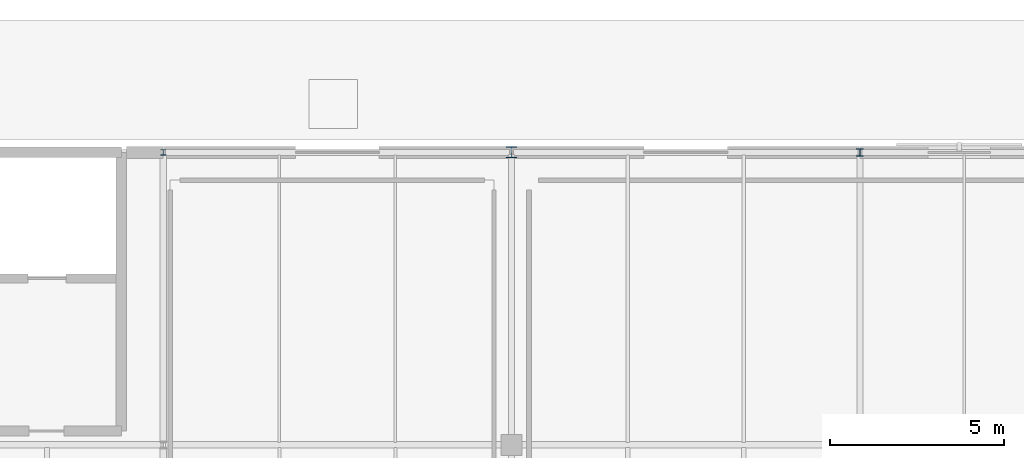
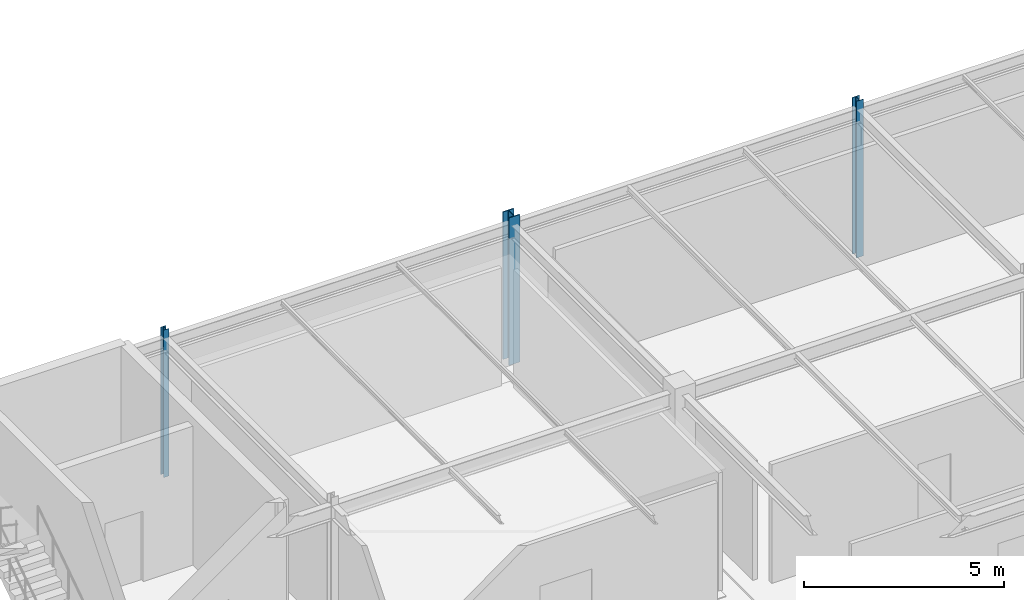
# One storey, part 45 of 119: 3 columns.
"""IFC4 building model written with IfcOpenShell, lengths in metres."""

from ifc_helpers import new_model, si_unit, derived_unit, direction, frame, origin, origin_2d_with_axis, place, context, subcontext, project, spatial, i_section, extrude, material, material_profile, profile_set, type_object, element, save


model = new_model("IFC4")

# Units and contexts
model_context = context("Model", 3, precision=1e-05, world=origin(), true_north=direction((0.0, 1.0)))
body_context = subcontext(model_context, "Body", "Model", "MODEL_VIEW")
ifc_project = project(units=[si_unit("LENGTHUNIT", "METRE"), si_unit("AREAUNIT", "SQUARE_METRE"), si_unit("VOLUMEUNIT", "CUBIC_METRE"), si_unit("PLANEANGLEUNIT", "RADIAN"), si_unit("MASSUNIT", "GRAM", prefix="KILO"), derived_unit("THERMALTRANSMITTANCEUNIT", [(si_unit("POWERUNIT", "WATT"), 1), (si_unit("LENGTHUNIT", "METRE"), -2), (si_unit("THERMODYNAMICTEMPERATUREUNIT", "KELVIN"), -1)])], contexts=[model_context])

# Site, building, storey
site_placement = place(None, origin())
site = spatial("IfcSite", under=ifc_project, at=site_placement, CompositionType="ELEMENT")
building_placement = place(site_placement, origin())
building = spatial("IfcBuilding", under=site, at=building_placement, Name="Cinnabar Yard Market Hall", CompositionType="ELEMENT")
storey_placement = place(building_placement, origin())
storey = spatial("IfcBuildingStorey", under=building, at=storey_placement, Name="L00", CompositionType="ELEMENT", Elevation=0.0)

# Columns
ifc_material_1 = material(Name="Steel Grade 350 (350 MPa)", Category="steel")
ifc_material_profile_1 = material_profile(ifc_material_1, i_section(OverallWidth=0.311279296875, OverallDepth=0.3271484375, WebThickness=0.015625, FlangeThickness=0.02490234375, FilletRadius=0.0166015625, at=origin_2d_with_axis()), Name="310UC158")
ifc_profile_set_1 = profile_set([ifc_material_profile_1], Name="Steel Grade 350 (350 MPa)")
column_type_1 = type_object("IfcColumnType", Name="COL-C06E", PredefinedType="COLUMN", material=ifc_profile_set_1)
column_1_placement = place(storey_placement, frame((146.0, 138.0, 0.0), z_axis=(0.0, 0.0, 1.0), x_axis=(1.0, 0.0, 0.0)))
element("IfcColumn", 1, at=column_1_placement, inside=storey, type_object=column_type_1, Name="Wing Column V3-09-05 L00", PredefinedType="COLUMN", context=body_context, shape_type="SweptSolid", body=[
    extrude(i_section(OverallWidth=0.311279296875, OverallDepth=0.3271484375, WebThickness=0.015625, FlangeThickness=0.02490234375, FilletRadius=0.0166015625, at=origin_2d_with_axis()), origin(), (0.0, 0.0, 1.0), 4.5),
])
ifc_material_2 = material(Name="Steel Grade 300 (300 MPa)", Category="steel")
ifc_material_profile_2 = material_profile(ifc_material_2, i_section(OverallWidth=0.205078125, OverallDepth=0.209716796875, WebThickness=0.00927734375, FlangeThickness=0.01416015625, FilletRadius=0.011474609375, at=origin_2d_with_axis()), Name="200UC59.5")
ifc_profile_set_2 = profile_set([ifc_material_profile_2], Name="Steel Grade 300 (300 MPa)")
column_type_2 = type_object("IfcColumnType", Name="COL-C17E", PredefinedType="COLUMN", material=ifc_profile_set_2)
column_2_placement = place(storey_placement, frame((156.0, 138.0, -0.280029296875), z_axis=(0.0, 0.0, 1.0), x_axis=(1.0, 0.0, 0.0)))
element("IfcColumn", 2, at=column_2_placement, inside=storey, type_object=column_type_2, Name="Wing Column V3-10-05 L00", PredefinedType="COLUMN", context=body_context, shape_type="SweptSolid", body=[
    extrude(i_section(OverallWidth=0.205078125, OverallDepth=0.209716796875, WebThickness=0.00927734375, FlangeThickness=0.01416015625, FilletRadius=0.011474609375, at=origin_2d_with_axis()), origin(), (0.0, 0.0, 1.0), 4.780029296875),
])
ifc_material_profile_3 = material_profile(ifc_material_2, i_section(OverallWidth=0.15283203125, OverallDepth=0.15771484375, WebThickness=0.006591796875, FlangeThickness=0.009521484375, FilletRadius=0.0087890625, at=origin_2d_with_axis()), Name="150UC30.0")
ifc_profile_set_3 = profile_set([ifc_material_profile_3], Name="Steel Grade 300 (300 MPa)")
column_type_3 = type_object("IfcColumnType", Name="COL-C18E", PredefinedType="COLUMN", material=ifc_profile_set_3)
column_3_placement = place(storey_placement, frame((136.0, 138.0, 0.0), z_axis=(0.0, 0.0, 1.0), x_axis=(1.0, 0.0, 0.0)))
element("IfcColumn", 3, at=column_3_placement, inside=storey, type_object=column_type_3, Name="Wing Column V3-08-05 L00", PredefinedType="COLUMN", context=body_context, shape_type="SweptSolid", body=[
    extrude(i_section(OverallWidth=0.15283203125, OverallDepth=0.15771484375, WebThickness=0.006591796875, FlangeThickness=0.009521484375, FilletRadius=0.0087890625, at=origin_2d_with_axis()), origin(), (0.0, 0.0, 1.0), 4.5),
])

save(model, "model.ifc")
